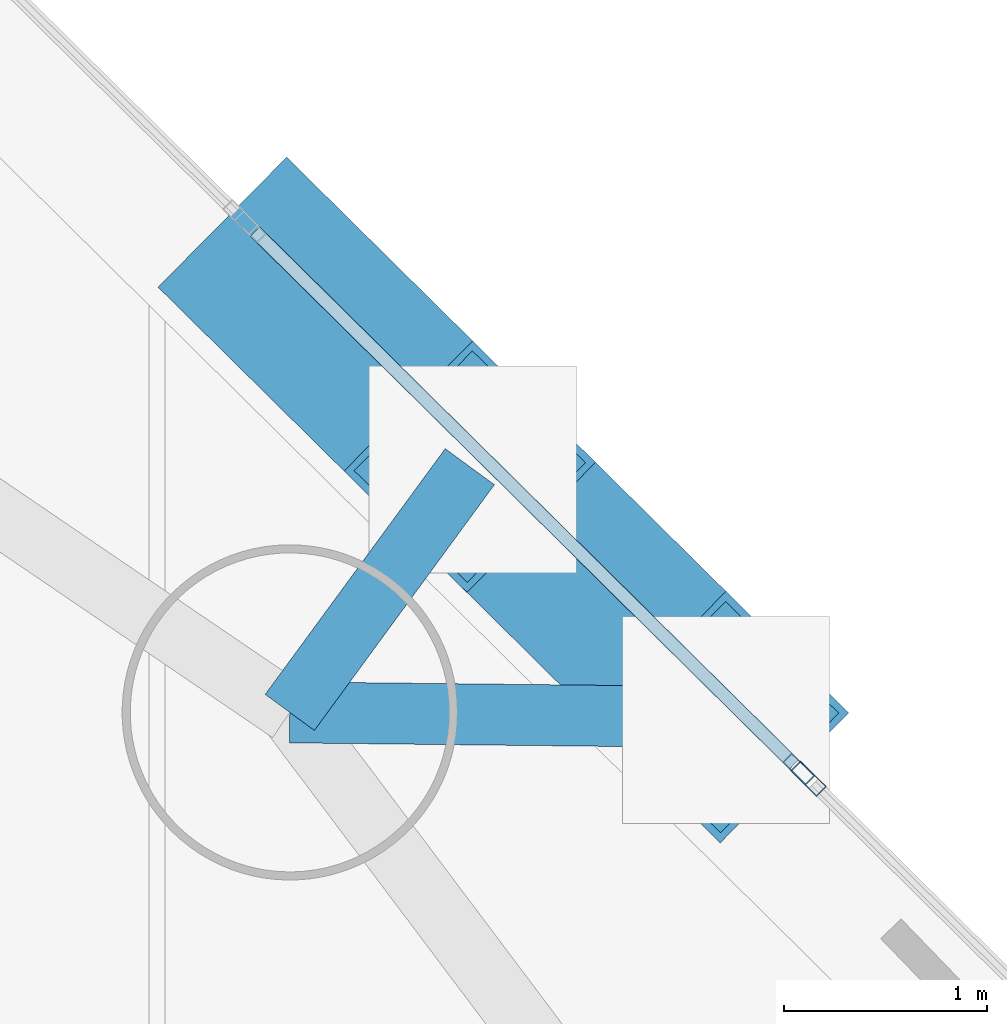
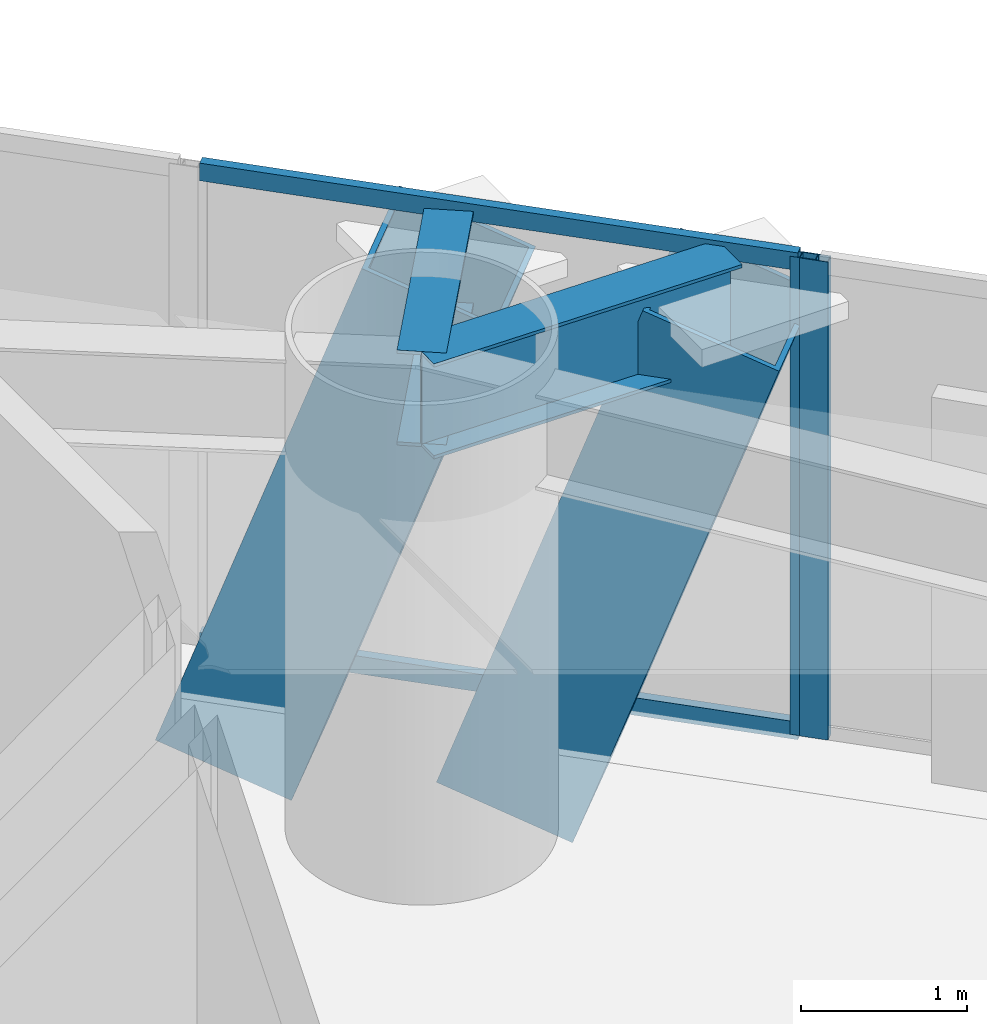
# One storey, part 10 of 24: 6 members, 2 beams, 2 elements without a shape of their own.
"""IFC4 building model written with IfcOpenShell, lengths in metres."""

from ifc_helpers import new_model, si_unit, direction, frame, origin, origin_2d, place, context, subcontext, project, spatial, hollow_rectangle, i_section, extrude, material, layer, layer_set, material_profile, profile_set, type_object, element, aggregate, save


model = new_model("IFC4")

# Units and contexts
model_context = context("Model", 3, precision=1e-05, world=origin(), true_north=direction((0.0, 1.0)))
body_context = subcontext(model_context, "Body", "Model", "MODEL_VIEW")
ifc_project = project(units=[si_unit("LENGTHUNIT", "METRE"), si_unit("AREAUNIT", "SQUARE_METRE"), si_unit("VOLUMEUNIT", "CUBIC_METRE"), si_unit("PLANEANGLEUNIT", "RADIAN"), si_unit("MASSUNIT", "GRAM", prefix="KILO")], contexts=[model_context])

# Site, building, storey
site_placement = place(None, origin())
site = spatial("IfcSite", under=ifc_project, at=site_placement, CompositionType="ELEMENT")
building_placement = place(site_placement, origin())
building = spatial("IfcBuilding", under=site, at=building_placement, Name="Qianvela Tower", CompositionType="ELEMENT")
storey_placement = place(building_placement, frame((0.0, 0.0, 59.89990234375)))
storey = spatial("IfcBuildingStorey", under=building, at=storey_placement, Name="L14", CompositionType="ELEMENT", Elevation=59.89990234375)

# Beams
ifc_material_1 = material(Name="Steel Q355B", Category="steel")
ifc_material_profile_1 = material_profile(ifc_material_1, i_section(OverallWidth=0.300048828125, OverallDepth=0.699951171875, WebThickness=0.012939453125, FlangeThickness=0.02392578125, at=origin_2d()), Name="HN700x300x13x24")
ifc_profile_set_1 = profile_set([ifc_material_profile_1], Name="Steel Q355B")
beam_type = type_object("IfcBeamType", Name="BM-HN700-SPAND", PredefinedType="SPANDREL", material=ifc_profile_set_1)
beam_1_placement = place(storey_placement, frame((45.98388671875, 34.056884765625, 3.168212890625), z_axis=(0.999940850333, -0.010876388915, 0.0), x_axis=(0.010876388915, 0.999940850333, 0.0)))
element("IfcBeam", 1, at=beam_1_placement, inside=storey, type_object=beam_type, Name="L14 Mega-Brace Column Tie Bracket F1-1", PredefinedType="SPANDREL", context=body_context, shape_type="SweptSolid", body=[
    extrude(i_section(OverallWidth=0.300048828125, OverallDepth=0.699951171875, WebThickness=0.012939453125, FlangeThickness=0.02392578125, at=origin_2d()), origin(), (0.0, 0.0, 1.0), 2.132568359375),
])
beam_2_placement = place(storey_placement, frame((45.98388671875, 34.056884765625, 3.168212890625), z_axis=(0.591024708674, 0.80665345331, 0.0), x_axis=(-0.80665345331, 0.591024708674, 0.0)))
element("IfcBeam", 2, at=beam_2_placement, inside=storey, type_object=beam_type, Name="L14 Mega-Brace Column Tie Bracket F1-2", PredefinedType="SPANDREL", context=body_context, shape_type="SweptSolid", body=[
    extrude(i_section(OverallWidth=0.300048828125, OverallDepth=0.699951171875, WebThickness=0.012939453125, FlangeThickness=0.02392578125, at=origin_2d()), origin(), (0.0, 0.0, 1.0), 1.4990234375),
])

# Curtain wall, members
ifc_material_2 = material(Name="Anodised Architectural Aluminium and Insulated Spandrel Panel", Category="aluminium")
ifc_layer_1 = layer(ifc_material_2, 0.179931640625)
ifc_layer_set_1 = layer_set([ifc_layer_1], Name="Anodised Architectural Aluminium and Insulated Spandrel Panel")
curtain_wall_type_1 = type_object("IfcCurtainWallType", Name="CW-BRACEBAY", PredefinedType="USERDEFINED", material=ifc_layer_set_1)
curtain_wall_1_placement = place(storey_placement, origin())
curtain_wall_1 = element("IfcCurtainWall", 3, at=curtain_wall_1_placement, inside=storey, type_object=curtain_wall_type_1, Name="L14 CW-BRACEBAY Curtain Wall 02B", ObjectType="CURTAIN_WALL_SYSTEM", PredefinedType="USERDEFINED")
ifc_material_3 = material(Name="Anodised Architectural Aluminium 6063-T6", Category="aluminium")
ifc_material_profile_2 = material_profile(ifc_material_3, hollow_rectangle(XDim=0.06494140625, YDim=0.159912109375, WallThickness=0.0048828125, at=origin_2d()), Name="ALU-MULL-65x160")
ifc_profile_set_2 = profile_set([ifc_material_profile_2], Name="Anodised Architectural Aluminium 6063-T6")
member_type_1 = type_object("IfcMemberType", Name="CW-BRACEBAY-MULL", PredefinedType="MULLION", material=ifc_profile_set_2)
member_1_placement = place(storey_placement, frame((48.488525390625, 33.778076171875, 0.0), z_axis=(0.0, 0.0, 1.0), x_axis=(-0.703053799388, -0.711136664197, 0.0)))
member_1 = element("IfcMember", 4, at=member_1_placement, type_object=member_type_1, Name="CW-9 mullion 1", PredefinedType="MULLION", context=body_context, shape_type="SweptSolid", body=[
    extrude(hollow_rectangle(XDim=0.06494140625, YDim=0.159912109375, WallThickness=0.0048828125, at=origin_2d()), origin(), (0.0, 0.0, 1.0), 3.52001953125),
])
ifc_material_4 = material(Name="Anodised Architectural Aluminium 6063-T6", Category="aluminium")
ifc_material_profile_3 = material_profile(ifc_material_4, hollow_rectangle(XDim=0.06494140625, YDim=0.1298828125, WallThickness=0.00439453125, at=origin_2d()), Name="ALU-TRAN-65x130")
ifc_profile_set_3 = profile_set([ifc_material_profile_3], Name="Anodised Architectural Aluminium 6063-T6")
member_type_2 = type_object("IfcMemberType", Name="CW-BRACEBAY-TRAN", PredefinedType="USERDEFINED", material=ifc_profile_set_3)
member_2_placement = place(storey_placement, frame((48.465576171875, 33.801025390625, 0.03271484375), z_axis=(-0.711153258802, 0.703037013603, 0.0), x_axis=(-0.703037013603, -0.711153258802, 0.0)))
member_2 = element("IfcMember", 5, at=member_2_placement, type_object=member_type_2, Name="CW-9 transom 1.1", ObjectType="TRANSOM", PredefinedType="USERDEFINED", context=body_context, shape_type="SweptSolid", body=[
    extrude(hollow_rectangle(XDim=0.06494140625, YDim=0.1298828125, WallThickness=0.00439453125, at=origin_2d()), origin(), (0.0, 0.0, 1.0), 3.72998046875),
])
member_3_placement = place(storey_placement, frame((48.465576171875, 33.801025390625, 3.487548828125), z_axis=(-0.711153258802, 0.703037013603, 0.0), x_axis=(-0.703037013603, -0.711153258802, 0.0)))
member_3 = element("IfcMember", 6, at=member_3_placement, type_object=member_type_2, Name="CW-9 transom 1.2", ObjectType="TRANSOM", PredefinedType="USERDEFINED", context=body_context, shape_type="SweptSolid", body=[
    extrude(hollow_rectangle(XDim=0.06494140625, YDim=0.1298828125, WallThickness=0.00439453125, at=origin_2d()), origin(), (0.0, 0.0, 1.0), 3.72998046875),
])
aggregate(curtain_wall_1, [member_1, member_2, member_3])

# Curtain wall, member
ifc_material_5 = material(Name="Anodised Architectural Aluminium and Low-E Glass", Category="aluminium")
ifc_layer_2 = layer(ifc_material_5, 0.179931640625)
ifc_layer_set_2 = layer_set([ifc_layer_2], Name="Anodised Architectural Aluminium and Low-E Glass")
curtain_wall_type_2 = type_object("IfcCurtainWallType", Name="CW-COLIV-Z12", PredefinedType="USERDEFINED", material=ifc_layer_set_2)
curtain_wall_2_placement = place(storey_placement, origin())
curtain_wall_2 = element("IfcCurtainWall", 7, at=curtain_wall_2_placement, inside=storey, type_object=curtain_wall_type_2, Name="L14 CW-COLIV-Z12 Curtain Wall 02A", ObjectType="CURTAIN_WALL_SYSTEM", PredefinedType="USERDEFINED")
ifc_material_6 = material(Name="Anodised Architectural Aluminium 6063-T6", Category="aluminium")
ifc_material_profile_4 = material_profile(ifc_material_6, hollow_rectangle(XDim=0.070068359375, YDim=0.179931640625, WallThickness=0.0048828125, at=origin_2d()), Name="ALU-MULL-70x180")
ifc_profile_set_4 = profile_set([ifc_material_profile_4], Name="Anodised Architectural Aluminium 6063-T6")
member_type_3 = type_object("IfcMemberType", Name="CW-COLIV-Z12-MULL", PredefinedType="MULLION", material=ifc_profile_set_4)
member_4_placement = place(storey_placement, frame((48.53662109375, 33.730712890625, 0.0), z_axis=(0.0, 0.0, 1.0), x_axis=(-0.703060559773, -0.711129980588, 0.0)))
member_4 = element("IfcMember", 8, at=member_4_placement, type_object=member_type_3, Name="CW-3 mullion 3", PredefinedType="MULLION", context=body_context, shape_type="SweptSolid", body=[
    extrude(hollow_rectangle(XDim=0.070068359375, YDim=0.179931640625, WallThickness=0.0048828125, at=origin_2d()), origin(), (0.0, 0.0, 1.0), 3.52001953125),
])
aggregate(curtain_wall_2, [member_4])

# Members
ifc_material_7 = material(Name="Steel Q420GJC", Category="steel")
ifc_material_profile_5 = material_profile(ifc_material_7, hollow_rectangle(XDim=0.89990234375, YDim=0.89990234375, WallThickness=0.035888671875, at=origin_2d()), Name="MBOX-900x900x36")
ifc_profile_set_5 = profile_set([ifc_material_profile_5], Name="Steel Q420GJC")
member_type_4 = type_object("IfcMemberType", Name="MBR-MBRACE-900", PredefinedType="BRACE", material=ifc_profile_set_5)
member_5_placement = place(storey_placement, frame((47.200927734375, 34.938720703125, -0.531982421875), z_axis=(0.233628501598, -0.231011164423, 0.944484814676), x_axis=(0.703112460086, 0.71107866546, 0.0)))
element("IfcMember", 9, at=member_5_placement, inside=storey, type_object=member_type_4, Name="L14 Tier 2 Exterior Mega-Brace F1A", PredefinedType="BRACE", context=body_context, shape_type="SweptSolid", body=[
    extrude(hollow_rectangle(XDim=0.89990234375, YDim=0.89990234375, WallThickness=0.035888671875, at=origin_2d()), origin(), (0.0, 0.0, 1.0), 3.917724609375),
])
member_6_placement = place(storey_placement, frame((45.95458984375, 36.170654296875, -0.531982421875), z_axis=(0.233635226729, -0.230893175522, 0.944512002215), x_axis=(0.70292057498, 0.711268349689, 0.0)))
element("IfcMember", 10, at=member_6_placement, inside=storey, type_object=member_type_4, Name="L14 Tier 2 Exterior Mega-Brace F1B", PredefinedType="BRACE", context=body_context, shape_type="SweptSolid", body=[
    extrude(hollow_rectangle(XDim=0.89990234375, YDim=0.89990234375, WallThickness=0.035888671875, at=origin_2d()), origin(), (0.0, 0.0, 1.0), 3.91748046875),
])

save(model, "model.ifc")
